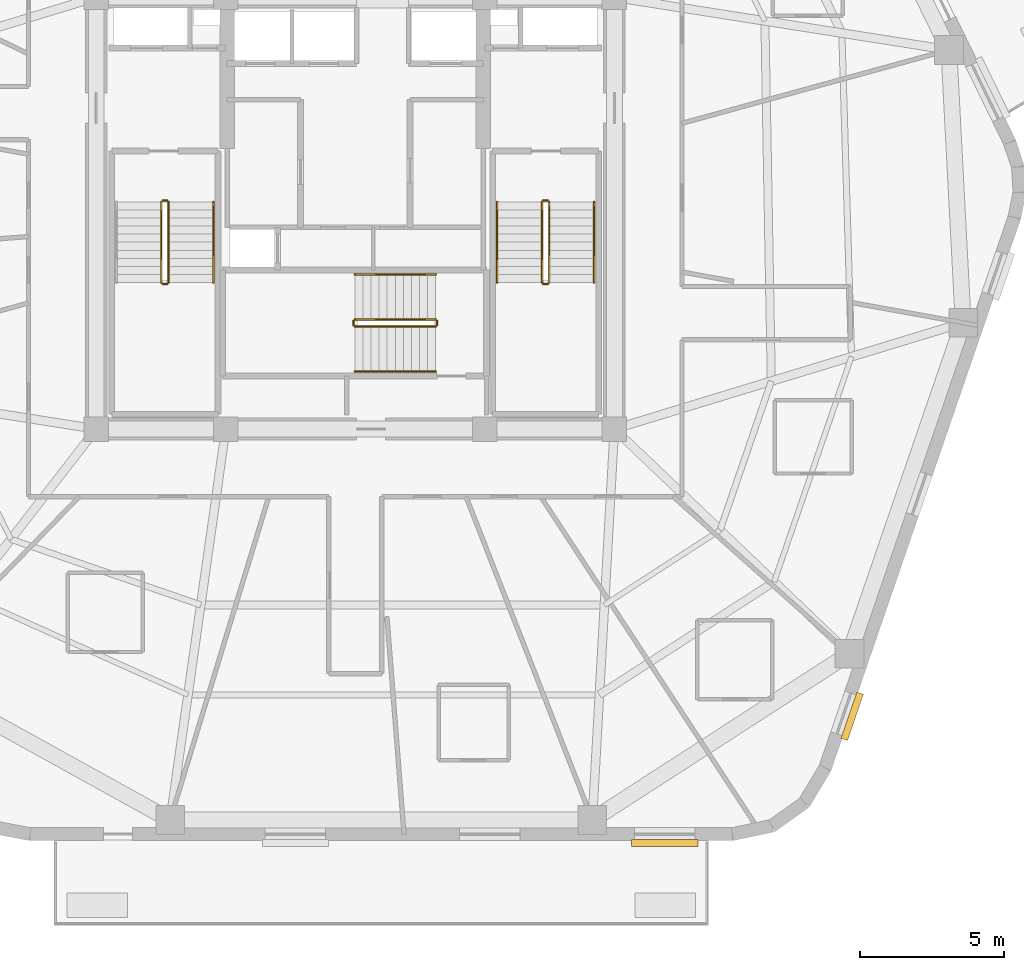
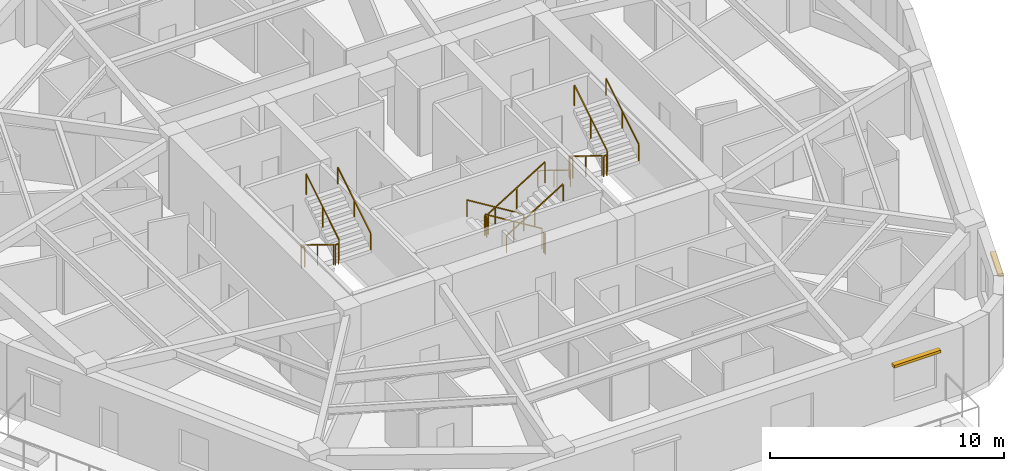
# One storey, part 9 of 10: 17 railings, 2 shading devices.
"""IFC4 building model written with IfcOpenShell, lengths in metres."""

import ifcopenshell
import ifcopenshell.guid

model = None  # the IFC model being written
_history = None  # IfcOwnerHistory: only IFC2X3 demands one
_inside = {}  # id of a spatial element -> (the spatial element, [elements in it])
_under = {}  # id of a project, library or spatial element -> (it, [spatial elements below it])
_declared = {}  # id of a project -> (the project, [libraries it declares])
_typed = {}  # id of a type object -> (the type object, [elements of that type])
_made_of = {}  # id of a material, layer set ... -> (it, [elements and type objects made of it])


def new_model(schema):
    """Start an empty IFC model of exactly this schema.

    Asked for "IFC4X3", IfcOpenShell would pick the latest addendum, in which some entities
    have other attributes; the version numbers below select the first issue.
    IFC2X3 requires an IfcOwnerHistory on every rooted entity: one is made here for all.
    """
    global model, _history
    if schema == "IFC4X3":
        model = ifcopenshell.file(schema_version=(4, 3, 0, 0))
    else:
        model = ifcopenshell.file(schema=schema)
    _inside.clear()
    _under.clear()
    _declared.clear()
    _typed.clear()
    _made_of.clear()
    _history = None
    if model.schema == "IFC2X3":
        org = make("IfcOrganization", Name="unknown")
        user = make(
            "IfcPersonAndOrganization",
            ThePerson=make("IfcPerson", FamilyName="unknown"),
            TheOrganization=org,
        )
        app = make(
            "IfcApplication",
            ApplicationDeveloper=org,
            Version="unknown",
            ApplicationFullName="unknown",
            ApplicationIdentifier="unknown",
        )
        _history = make(
            "IfcOwnerHistory",
            OwningUser=user,
            OwningApplication=app,
            ChangeAction="ADDED",
            CreationDate=0,
        )
    return model


def make(cls, **values):
    """One entity of the class cls with the attributes given. An attribute that is None is left unset."""
    return model.create_entity(
        cls, **{name: value for name, value in values.items() if value is not None}
    )


def rooted(cls, **values):
    """An entity with a GlobalId (a new one), such as an element, a storey or a relation."""
    return make(cls, GlobalId=ifcopenshell.guid.new(), OwnerHistory=_history, **values)


def si_unit(unit_type, name, prefix=None):
    """IfcSIUnit, for example si_unit("LENGTHUNIT", "METRE", prefix="MILLI")."""
    return make("IfcSIUnit", UnitType=unit_type, Prefix=prefix, Name=name)


def assignment(units):
    """IfcUnitAssignment: the units of a project."""
    return None if units is None else make("IfcUnitAssignment", Units=units)


def point(xyz):
    """IfcCartesianPoint."""
    return None if xyz is None else make("IfcCartesianPoint", Coordinates=xyz)


def direction(xyz):
    """IfcDirection."""
    return None if xyz is None else make("IfcDirection", DirectionRatios=xyz)


def frame(location, z_axis=None, x_axis=None):
    """IfcAxis2Placement3D, a coordinate frame: its origin and axes. An axis left out is left unset."""
    return make(
        "IfcAxis2Placement3D",
        Location=point(location),
        Axis=direction(z_axis),
        RefDirection=direction(x_axis),
    )


def frame_2d(location, x_axis=None):
    """IfcAxis2Placement2D, a coordinate frame in the plane: its origin and x axis."""
    return make(
        "IfcAxis2Placement2D", Location=point(location), RefDirection=direction(x_axis)
    )


def origin():
    """The frame at (0, 0, 0) with its axes left unset."""
    return frame((0.0, 0.0, 0.0))


def origin_2d():
    """The frame at (0, 0) in the plane with its x axis left unset."""
    return frame_2d((0.0, 0.0))


def place(relative_to, where):
    """IfcLocalPlacement: puts the frame where relative to a parent placement (None: the world)."""
    return make(
        "IfcLocalPlacement", PlacementRelTo=relative_to, RelativePlacement=where
    )


def context(
    kind, dimensions, precision=None, world=None, true_north=None, identifier=None
):
    """IfcGeometricRepresentationContext, for example the 3D "Model" context."""
    return make(
        "IfcGeometricRepresentationContext",
        ContextIdentifier=identifier,
        ContextType=kind,
        CoordinateSpaceDimension=dimensions,
        Precision=precision,
        WorldCoordinateSystem=world,
        TrueNorth=true_north,
    )


def subcontext(parent, identifier, kind, view, scale=None):
    """IfcGeometricRepresentationSubContext, for example "Body" below "Model"."""
    return make(
        "IfcGeometricRepresentationSubContext",
        ContextIdentifier=identifier,
        ContextType=kind,
        ParentContext=parent,
        TargetScale=scale,
        TargetView=view,
    )


def project(units=None, contexts=None):
    """IfcProject with its units and contexts."""
    return rooted(
        "IfcProject",
        Name="project",
        RepresentationContexts=contexts,
        UnitsInContext=assignment(units),
    )


def spatial(cls, under=None, at=None, **own):
    """A site, building, storey or space (cls), placed at a placement, below another one or the project."""
    s = rooted(cls, ObjectPlacement=at, **own)
    if under is not None:
        _under.setdefault(under.id(), (under, []))[1].append(s)
    return s


def profile(cls, at=None, kind="AREA", **sizes):
    """A parametric profile (cls). Its sizes go by their IFC names, for example OverallWidth=200.0."""
    return make(cls, ProfileType=kind, Position=at, **sizes)


def rectangle(**sizes):
    """IfcRectangleProfileDef."""
    return profile("IfcRectangleProfileDef", **sizes)


def extrude(swept, where, along, depth):
    """IfcExtrudedAreaSolid: the profile swept, set in the frame where, extruded along a direction by depth."""
    return make(
        "IfcExtrudedAreaSolid",
        SweptArea=swept,
        Position=where,
        ExtrudedDirection=direction(along),
        Depth=depth,
    )


def shape(context_of_items, identifier, shape_type, items):
    """IfcShapeRepresentation: the items that make up one representation, for example the "Body"."""
    return make(
        "IfcShapeRepresentation",
        ContextOfItems=context_of_items,
        RepresentationIdentifier=identifier,
        RepresentationType=shape_type,
        Items=items,
    )


def material(Name=None, Category=None):
    """IfcMaterial."""
    return make("IfcMaterial", Name=Name, Category=Category)


def layer(
    of_material, thickness, ventilated=None, Name=None, Category=None, Priority=None
):
    """IfcMaterialLayer: one layer of a wall or slab, of a material (None: an air gap)."""
    return make(
        "IfcMaterialLayer",
        Material=of_material,
        LayerThickness=thickness,
        IsVentilated=ventilated,
        Name=Name,
        Category=Category,
        Priority=Priority,
    )


def layer_set(layers, Name=None):
    """IfcMaterialLayerSet."""
    return make("IfcMaterialLayerSet", MaterialLayers=layers, LayerSetName=Name)


def made_of(thing, what):
    """Note that an element or type object is made of a material, layer set ...; save() writes the relation."""
    if what is not None:
        _made_of.setdefault(what.id(), (what, []))[1].append(thing)
    return thing


def type_object(cls, material=None, **own):
    """A type object (cls), such as IfcWallType, which elements share."""
    return made_of(rooted(cls, **own), material)


def element(
    cls,
    number,
    at=None,
    inside=None,
    cuts=None,
    type_object=None,
    material=None,
    context=None,
    identifier="Body",
    shape_type=None,
    held_by="IfcProductDefinitionShape",
    body=None,
    shapes=None,
    **own,
):
    """One element of the class cls, such as IfcWall. Its Tag is "e" and its number.

    at: its placement. inside: the storey or other place that contains it. cuts: it is an
    opening in that element (IfcRelVoidsElement). A single representation is given by context,
    identifier, shape_type and body (its items); several are given by shapes. held_by: the class
    of the entity that holds the representations. save() writes the other relations.
    """
    e = rooted(cls, Tag="e%d" % number, ObjectPlacement=at, **own)
    if body is not None:
        shapes = [shape(context, identifier, shape_type, body)]
    if shapes is not None:
        e.Representation = make(held_by, Representations=shapes)
    if inside is not None:
        _inside.setdefault(inside.id(), (inside, []))[1].append(e)
    if cuts is not None:
        rooted(
            "IfcRelVoidsElement", RelatingBuildingElement=cuts, RelatedOpeningElement=e
        )
    if type_object is not None:
        _typed.setdefault(type_object.id(), (type_object, []))[1].append(e)
    return made_of(e, material)


def aggregate(whole, parts):
    """IfcRelAggregates: a whole, such as a stair, and the parts it consists of."""
    return rooted("IfcRelAggregates", RelatingObject=whole, RelatedObjects=parts)


def save(model, path):
    """Write the relations noted so far, then the file.

    IfcRelAggregates (storeys below a building ...), IfcRelContainedInSpatialStructure (elements
    in a storey), IfcRelDefinesByType, IfcRelAssociatesMaterial and IfcRelDeclares: one each for
    every whole, place, type object, material and project.
    """
    for whole, parts in _under.values():
        aggregate(whole, parts)
    for where, things in _inside.values():
        rooted(
            "IfcRelContainedInSpatialStructure",
            RelatedElements=things,
            RelatingStructure=where,
        )
    for kind, things in _typed.values():
        rooted("IfcRelDefinesByType", RelatedObjects=things, RelatingType=kind)
    for what, things in _made_of.values():
        rooted("IfcRelAssociatesMaterial", RelatedObjects=things, RelatingMaterial=what)
    for by, libraries in _declared.values():
        rooted("IfcRelDeclares", RelatingContext=by, RelatedDefinitions=libraries)
    model.write(path)


model = new_model("IFC4")

# Units and contexts
model_context = context("Model", 3, precision=1e-05, world=origin(), true_north=direction((0.0, 1.0)))
body_context = subcontext(model_context, "Body", "Model", "MODEL_VIEW")
ifc_project = project(units=[si_unit("LENGTHUNIT", "METRE"), si_unit("AREAUNIT", "SQUARE_METRE"), si_unit("VOLUMEUNIT", "CUBIC_METRE"), si_unit("PLANEANGLEUNIT", "RADIAN"), si_unit("MASSUNIT", "GRAM", prefix="KILO")], contexts=[model_context])

# Site, building, storey
site_placement = place(None, origin())
site = spatial("IfcSite", under=ifc_project, at=site_placement, CompositionType="ELEMENT")
building_placement = place(site_placement, origin())
building = spatial("IfcBuilding", under=site, at=building_placement, Name="Kilnhurst Terrace Hotel", CompositionType="ELEMENT")
storey_placement = place(building_placement, frame((0.0, 0.0, 214.10009765625)))
storey = spatial("IfcBuildingStorey", under=building, at=storey_placement, Name="L53", CompositionType="ELEMENT", Elevation=214.10009765625)

# Railings
ifc_material_1 = material(Name="Powder-Coated Steel ASTM A500 Grade B", Category="steel")
ifc_layer_1 = layer(ifc_material_1, 0.050048828125, Name="Powder-Coated Steel ASTM A500 Grade B")
ifc_layer_set_1 = layer_set([ifc_layer_1], Name="Powder-Coated Steel ASTM A500 Grade B")
railing_type_1 = type_object("IfcRailingType", Name="RLG-ST-GRD-1100", PredefinedType="GUARDRAIL", material=ifc_layer_set_1)
railing_1_placement = place(storey_placement, frame((-6.739990234375, 0.389892578125, 0.172607421875)))
element("IfcRailing", 1, at=railing_1_placement, inside=storey, type_object=railing_type_1, Name="L53 ST-1 stair guard 1", PredefinedType="GUARDRAIL", context=body_context, shape_type="SweptSolid", body=[
    extrude(rectangle(XDim=0.048095703125, YDim=0.048095703125, at=origin_2d()), frame((0.0, 0.0, 1.076171875), z_axis=(0.0, -0.851069175582, 0.525053576669), x_axis=(1.0, 0.0, 0.0)), (0.0, 0.0, 1.0), 3.289794921875),
    extrude(rectangle(XDim=0.0419921875, YDim=0.0419921875, at=origin_2d()), origin(), (0.0, 0.0, 1.0), 1.052001953125),
    extrude(rectangle(XDim=0.0419921875, YDim=0.0419921875, at=origin_2d()), frame((0.0, -1.39990234375, 0.86376953125)), (0.0, 0.0, 1.0), 1.052001953125),
    extrude(rectangle(XDim=0.0419921875, YDim=0.0419921875, at=origin_2d()), frame((0.0, -2.7998046875, 1.727294921875)), (0.0, 0.0, 1.0), 1.052001953125),
])
railing_2_placement = place(storey_placement, frame((-6.68994140625, -2.4599609375, 1.89990234375)))
element("IfcRailing", 2, at=railing_2_placement, inside=storey, type_object=railing_type_1, Name="L53 ST-1 stair guard 2", PredefinedType="GUARDRAIL", context=body_context, shape_type="SweptSolid", body=[
    extrude(rectangle(XDim=0.048095703125, YDim=0.048095703125, at=origin_2d()), frame((0.0, 0.0, 1.076171875), z_axis=(1.0, 0.0, 0.0), x_axis=(0.0, 1.0, 0.0)), (0.0, 0.0, 1.0), 0.14990234375),
    extrude(rectangle(XDim=0.0419921875, YDim=0.0419921875, at=origin_2d()), origin(), (0.0, 0.0, 1.0), 1.052001953125),
    extrude(rectangle(XDim=0.0419921875, YDim=0.0419921875, at=origin_2d()), frame((0.14990234375, 0.0, 0.0)), (0.0, 0.0, 1.0), 1.052001953125),
])
railing_3_placement = place(storey_placement, frame((-6.489990234375, -2.409912109375, 2.072509765625)))
element("IfcRailing", 3, at=railing_3_placement, inside=storey, type_object=railing_type_1, Name="L53 ST-1 stair guard 3", PredefinedType="GUARDRAIL", context=body_context, shape_type="SweptSolid", body=[
    extrude(rectangle(XDim=0.048095703125, YDim=0.048095703125, at=origin_2d()), frame((0.0, 0.0, 1.076171875), z_axis=(0.0, 0.851069175582, 0.525053576669), x_axis=(-1.0, 0.0, 0.0)), (0.0, 0.0, 1.0), 3.289794921875),
    extrude(rectangle(XDim=0.0419921875, YDim=0.0419921875, at=origin_2d()), origin(), (0.0, 0.0, 1.0), 1.052001953125),
    extrude(rectangle(XDim=0.0419921875, YDim=0.0419921875, at=origin_2d()), frame((0.0, 1.39990234375, 0.86376953125)), (0.0, 0.0, 1.0), 1.052001953125),
    extrude(rectangle(XDim=0.0419921875, YDim=0.0419921875, at=origin_2d()), frame((0.0, 2.7998046875, 1.727294921875)), (0.0, 0.0, 1.0), 1.052001953125),
])
railing_4_placement = place(storey_placement, frame((-6.68994140625, 0.43994140625, 0.0)))
element("IfcRailing", 4, at=railing_4_placement, inside=storey, type_object=railing_type_1, Name="L53 ST-1 stair guard 4", PredefinedType="GUARDRAIL", context=body_context, shape_type="SweptSolid", body=[
    extrude(rectangle(XDim=0.048095703125, YDim=0.048095703125, at=origin_2d()), frame((0.0, 0.0, 1.076171875), z_axis=(1.0, 0.0, 0.0), x_axis=(0.0, 1.0, 0.0)), (0.0, 0.0, 1.0), 0.14990234375),
    extrude(rectangle(XDim=0.0419921875, YDim=0.0419921875, at=origin_2d()), origin(), (0.0, 0.0, 1.0), 1.052001953125),
    extrude(rectangle(XDim=0.0419921875, YDim=0.0419921875, at=origin_2d()), frame((0.14990234375, 0.0, 0.0)), (0.0, 0.0, 1.0), 1.052001953125),
])
railing_5_placement = place(storey_placement, frame((6.489990234375, 0.389892578125, 0.172607421875)))
element("IfcRailing", 5, at=railing_5_placement, inside=storey, type_object=railing_type_1, Name="L53 ST-2 stair guard 1", PredefinedType="GUARDRAIL", context=body_context, shape_type="SweptSolid", body=[
    extrude(rectangle(XDim=0.048095703125, YDim=0.048095703125, at=origin_2d()), frame((0.0, 0.0, 1.076171875), z_axis=(0.0, -0.851069175582, 0.525053576669), x_axis=(1.0, 0.0, 0.0)), (0.0, 0.0, 1.0), 3.289794921875),
    extrude(rectangle(XDim=0.0419921875, YDim=0.0419921875, at=origin_2d()), origin(), (0.0, 0.0, 1.0), 1.052001953125),
    extrude(rectangle(XDim=0.0419921875, YDim=0.0419921875, at=origin_2d()), frame((0.0, -1.39990234375, 0.86376953125)), (0.0, 0.0, 1.0), 1.052001953125),
    extrude(rectangle(XDim=0.0419921875, YDim=0.0419921875, at=origin_2d()), frame((0.0, -2.7998046875, 1.727294921875)), (0.0, 0.0, 1.0), 1.052001953125),
])
railing_6_placement = place(storey_placement, frame((6.5400390625, -2.4599609375, 1.89990234375)))
element("IfcRailing", 6, at=railing_6_placement, inside=storey, type_object=railing_type_1, Name="L53 ST-2 stair guard 2", PredefinedType="GUARDRAIL", context=body_context, shape_type="SweptSolid", body=[
    extrude(rectangle(XDim=0.048095703125, YDim=0.048095703125, at=origin_2d()), frame((0.0, 0.0, 1.076171875), z_axis=(1.0, 0.0, 0.0), x_axis=(0.0, 1.0, 0.0)), (0.0, 0.0, 1.0), 0.14990234375),
    extrude(rectangle(XDim=0.0419921875, YDim=0.0419921875, at=origin_2d()), origin(), (0.0, 0.0, 1.0), 1.052001953125),
    extrude(rectangle(XDim=0.0419921875, YDim=0.0419921875, at=origin_2d()), frame((0.14990234375, 0.0, 0.0)), (0.0, 0.0, 1.0), 1.052001953125),
])
railing_7_placement = place(storey_placement, frame((6.739990234375, -2.409912109375, 2.072509765625)))
element("IfcRailing", 7, at=railing_7_placement, inside=storey, type_object=railing_type_1, Name="L53 ST-2 stair guard 3", PredefinedType="GUARDRAIL", context=body_context, shape_type="SweptSolid", body=[
    extrude(rectangle(XDim=0.048095703125, YDim=0.048095703125, at=origin_2d()), frame((0.0, 0.0, 1.076171875), z_axis=(0.0, 0.851069175582, 0.525053576669), x_axis=(-1.0, 0.0, 0.0)), (0.0, 0.0, 1.0), 3.289794921875),
    extrude(rectangle(XDim=0.0419921875, YDim=0.0419921875, at=origin_2d()), origin(), (0.0, 0.0, 1.0), 1.052001953125),
    extrude(rectangle(XDim=0.0419921875, YDim=0.0419921875, at=origin_2d()), frame((0.0, 1.39990234375, 0.86376953125)), (0.0, 0.0, 1.0), 1.052001953125),
    extrude(rectangle(XDim=0.0419921875, YDim=0.0419921875, at=origin_2d()), frame((0.0, 2.7998046875, 1.727294921875)), (0.0, 0.0, 1.0), 1.052001953125),
])
railing_8_placement = place(storey_placement, frame((6.5400390625, 0.43994140625, 0.0)))
element("IfcRailing", 8, at=railing_8_placement, inside=storey, type_object=railing_type_1, Name="L53 ST-2 stair guard 4", PredefinedType="GUARDRAIL", context=body_context, shape_type="SweptSolid", body=[
    extrude(rectangle(XDim=0.048095703125, YDim=0.048095703125, at=origin_2d()), frame((0.0, 0.0, 1.076171875), z_axis=(1.0, 0.0, 0.0), x_axis=(0.0, 1.0, 0.0)), (0.0, 0.0, 1.0), 0.14990234375),
    extrude(rectangle(XDim=0.0419921875, YDim=0.0419921875, at=origin_2d()), origin(), (0.0, 0.0, 1.0), 1.052001953125),
    extrude(rectangle(XDim=0.0419921875, YDim=0.0419921875, at=origin_2d()), frame((0.14990234375, 0.0, 0.0)), (0.0, 0.0, 1.0), 1.052001953125),
])
railing_9_placement = place(storey_placement, frame((2.7900390625, -3.68994140625, 0.172607421875)))
element("IfcRailing", 9, at=railing_9_placement, inside=storey, type_object=railing_type_1, Name="L53 ST-3 stair guard 1", PredefinedType="GUARDRAIL", context=body_context, shape_type="SweptSolid", body=[
    extrude(rectangle(XDim=0.048095703125, YDim=0.048095703125, at=origin_2d()), frame((0.0, 0.0, 1.076171875), z_axis=(-0.851089632645, 0.0, 0.525020415988), x_axis=(0.0, -1.0, 0.0)), (0.0, 0.0, 1.0), 3.2900390625),
    extrude(rectangle(XDim=0.0419921875, YDim=0.0419921875, at=origin_2d()), origin(), (0.0, 0.0, 1.0), 1.052001953125),
    extrude(rectangle(XDim=0.0419921875, YDim=0.0419921875, at=origin_2d()), frame((-1.39990234375, 0.0, 0.86376953125)), (0.0, 0.0, 1.0), 1.052001953125),
    extrude(rectangle(XDim=0.0419921875, YDim=0.0419921875, at=origin_2d()), frame((-2.800048828125, 0.0, 1.727294921875)), (0.0, 0.0, 1.0), 1.052001953125),
])
railing_10_placement = place(storey_placement, frame((-0.06005859375, -3.739990234375, 1.89990234375)))
element("IfcRailing", 10, at=railing_10_placement, inside=storey, type_object=railing_type_1, Name="L53 ST-3 stair guard 2", PredefinedType="GUARDRAIL", context=body_context, shape_type="SweptSolid", body=[
    extrude(rectangle(XDim=0.048095703125, YDim=0.048095703125, at=origin_2d()), frame((0.0, 0.0, 1.076171875), z_axis=(0.0, -1.0, 0.0), x_axis=(1.0, 0.0, 0.0)), (0.0, 0.0, 1.0), 0.14990234375),
    extrude(rectangle(XDim=0.0419921875, YDim=0.0419921875, at=origin_2d()), origin(), (0.0, 0.0, 1.0), 1.052001953125),
    extrude(rectangle(XDim=0.0419921875, YDim=0.0419921875, at=origin_2d()), frame((0.0, -0.14990234375, 0.0)), (0.0, 0.0, 1.0), 1.052001953125),
])
railing_11_placement = place(storey_placement, frame((-0.010009765625, -3.93994140625, 2.072509765625)))
element("IfcRailing", 11, at=railing_11_placement, inside=storey, type_object=railing_type_1, Name="L53 ST-3 stair guard 3", PredefinedType="GUARDRAIL", context=body_context, shape_type="SweptSolid", body=[
    extrude(rectangle(XDim=0.048095703125, YDim=0.048095703125, at=origin_2d()), frame((0.0, 0.0, 1.076171875), z_axis=(0.851089632645, 0.0, 0.525020415988), x_axis=(0.0, 1.0, 0.0)), (0.0, 0.0, 1.0), 3.2900390625),
    extrude(rectangle(XDim=0.0419921875, YDim=0.0419921875, at=origin_2d()), origin(), (0.0, 0.0, 1.0), 1.052001953125),
    extrude(rectangle(XDim=0.0419921875, YDim=0.0419921875, at=origin_2d()), frame((1.39990234375, 0.0, 0.86376953125)), (0.0, 0.0, 1.0), 1.052001953125),
    extrude(rectangle(XDim=0.0419921875, YDim=0.0419921875, at=origin_2d()), frame((2.800048828125, 0.0, 1.727294921875)), (0.0, 0.0, 1.0), 1.052001953125),
])
railing_12_placement = place(storey_placement, frame((2.840087890625, -3.739990234375, 0.0)))
element("IfcRailing", 12, at=railing_12_placement, inside=storey, type_object=railing_type_1, Name="L53 ST-3 stair guard 4", PredefinedType="GUARDRAIL", context=body_context, shape_type="SweptSolid", body=[
    extrude(rectangle(XDim=0.048095703125, YDim=0.048095703125, at=origin_2d()), frame((0.0, 0.0, 1.076171875), z_axis=(0.0, -1.0, 0.0), x_axis=(1.0, 0.0, 0.0)), (0.0, 0.0, 1.0), 0.14990234375),
    extrude(rectangle(XDim=0.0419921875, YDim=0.0419921875, at=origin_2d()), origin(), (0.0, 0.0, 1.0), 1.052001953125),
    extrude(rectangle(XDim=0.0419921875, YDim=0.0419921875, at=origin_2d()), frame((0.0, -0.14990234375, 0.0)), (0.0, 0.0, 1.0), 1.052001953125),
])
ifc_material_2 = material(Name="Brushed Stainless Steel AISI 304", Category="steel")
ifc_layer_2 = layer(ifc_material_2, 0.048095703125, Name="Brushed Stainless Steel AISI 304")
ifc_layer_set_2 = layer_set([ifc_layer_2], Name="Brushed Stainless Steel AISI 304")
railing_type_2 = type_object("IfcRailingType", Name="RLG-ST-HRL-900", PredefinedType="HANDRAIL", material=ifc_layer_set_2)
railing_13_placement = place(storey_placement, frame((-4.929931640625, -2.409912109375, 2.072509765625)))
element("IfcRailing", 13, at=railing_13_placement, inside=storey, type_object=railing_type_2, Name="L53 ST-1 stair handrail 2", PredefinedType="HANDRAIL", context=body_context, shape_type="SweptSolid", body=[
    extrude(rectangle(XDim=0.048095703125, YDim=0.048095703125, at=origin_2d()), frame((0.0, 0.0, 0.8759765625), z_axis=(0.0, 0.851069175582, 0.525053576669), x_axis=(-1.0, 0.0, 0.0)), (0.0, 0.0, 1.0), 3.289794921875),
    extrude(rectangle(XDim=0.0419921875, YDim=0.0419921875, at=origin_2d()), origin(), (0.0, 0.0, 1.0), 0.851806640625),
    extrude(rectangle(XDim=0.0419921875, YDim=0.0419921875, at=origin_2d()), frame((0.0, 1.39990234375, 0.86376953125)), (0.0, 0.0, 1.0), 0.851806640625),
    extrude(rectangle(XDim=0.0419921875, YDim=0.0419921875, at=origin_2d()), frame((0.0, 2.7998046875, 1.727294921875)), (0.0, 0.0, 1.0), 0.851806640625),
])
railing_14_placement = place(storey_placement, frame((4.929931640625, 0.389892578125, 0.172607421875)))
element("IfcRailing", 14, at=railing_14_placement, inside=storey, type_object=railing_type_2, Name="L53 ST-2 stair handrail 1", PredefinedType="HANDRAIL", context=body_context, shape_type="SweptSolid", body=[
    extrude(rectangle(XDim=0.048095703125, YDim=0.048095703125, at=origin_2d()), frame((0.0, 0.0, 0.8759765625), z_axis=(0.0, -0.851069175582, 0.525053576669), x_axis=(1.0, 0.0, 0.0)), (0.0, 0.0, 1.0), 3.289794921875),
    extrude(rectangle(XDim=0.0419921875, YDim=0.0419921875, at=origin_2d()), origin(), (0.0, 0.0, 1.0), 0.851806640625),
    extrude(rectangle(XDim=0.0419921875, YDim=0.0419921875, at=origin_2d()), frame((0.0, -1.39990234375, 0.86376953125)), (0.0, 0.0, 1.0), 0.851806640625),
    extrude(rectangle(XDim=0.0419921875, YDim=0.0419921875, at=origin_2d()), frame((0.0, -2.7998046875, 1.727294921875)), (0.0, 0.0, 1.0), 0.851806640625),
])
railing_15_placement = place(storey_placement, frame((8.300048828125, -2.409912109375, 2.072509765625)))
element("IfcRailing", 15, at=railing_15_placement, inside=storey, type_object=railing_type_2, Name="L53 ST-2 stair handrail 2", PredefinedType="HANDRAIL", context=body_context, shape_type="SweptSolid", body=[
    extrude(rectangle(XDim=0.048095703125, YDim=0.048095703125, at=origin_2d()), frame((0.0, 0.0, 0.8759765625), z_axis=(0.0, 0.851069175582, 0.525053576669), x_axis=(-1.0, 0.0, 0.0)), (0.0, 0.0, 1.0), 3.289794921875),
    extrude(rectangle(XDim=0.0419921875, YDim=0.0419921875, at=origin_2d()), origin(), (0.0, 0.0, 1.0), 0.851806640625),
    extrude(rectangle(XDim=0.0419921875, YDim=0.0419921875, at=origin_2d()), frame((0.0, 1.39990234375, 0.86376953125)), (0.0, 0.0, 1.0), 0.851806640625),
    extrude(rectangle(XDim=0.0419921875, YDim=0.0419921875, at=origin_2d()), frame((0.0, 2.7998046875, 1.727294921875)), (0.0, 0.0, 1.0), 0.851806640625),
])
railing_16_placement = place(storey_placement, frame((2.7900390625, -2.1298828125, 0.172607421875)))
element("IfcRailing", 16, at=railing_16_placement, inside=storey, type_object=railing_type_2, Name="L53 ST-3 stair handrail 1", PredefinedType="HANDRAIL", context=body_context, shape_type="SweptSolid", body=[
    extrude(rectangle(XDim=0.048095703125, YDim=0.048095703125, at=origin_2d()), frame((0.0, 0.0, 0.8759765625), z_axis=(-0.851089632645, 0.0, 0.525020415988), x_axis=(0.0, -1.0, 0.0)), (0.0, 0.0, 1.0), 3.2900390625),
    extrude(rectangle(XDim=0.0419921875, YDim=0.0419921875, at=origin_2d()), origin(), (0.0, 0.0, 1.0), 0.851806640625),
    extrude(rectangle(XDim=0.0419921875, YDim=0.0419921875, at=origin_2d()), frame((-1.39990234375, 0.0, 0.86376953125)), (0.0, 0.0, 1.0), 0.851806640625),
    extrude(rectangle(XDim=0.0419921875, YDim=0.0419921875, at=origin_2d()), frame((-2.800048828125, 0.0, 1.727294921875)), (0.0, 0.0, 1.0), 0.851806640625),
])
railing_17_placement = place(storey_placement, frame((-0.010009765625, -5.5, 2.072509765625)))
element("IfcRailing", 17, at=railing_17_placement, inside=storey, type_object=railing_type_2, Name="L53 ST-3 stair handrail 2", PredefinedType="HANDRAIL", context=body_context, shape_type="SweptSolid", body=[
    extrude(rectangle(XDim=0.048095703125, YDim=0.048095703125, at=origin_2d()), frame((0.0, 0.0, 0.8759765625), z_axis=(0.851089632645, 0.0, 0.525020415988), x_axis=(0.0, 1.0, 0.0)), (0.0, 0.0, 1.0), 3.2900390625),
    extrude(rectangle(XDim=0.0419921875, YDim=0.0419921875, at=origin_2d()), origin(), (0.0, 0.0, 1.0), 0.851806640625),
    extrude(rectangle(XDim=0.0419921875, YDim=0.0419921875, at=origin_2d()), frame((1.39990234375, 0.0, 0.86376953125)), (0.0, 0.0, 1.0), 0.851806640625),
    extrude(rectangle(XDim=0.0419921875, YDim=0.0419921875, at=origin_2d()), frame((2.800048828125, 0.0, 1.727294921875)), (0.0, 0.0, 1.0), 0.851806640625),
])

# Shading devices
ifc_material_3 = material(Name="Terracotta Baguette Sunshade on Aluminium Alloy 6063-T6", Category="masonry")
ifc_layer_3 = layer(ifc_material_3, 0.199951171875, Name="Terracotta Baguette Sunshade on Aluminium Alloy 6063-T6")
ifc_layer_set_3 = layer_set([ifc_layer_3], Name="Terracotta Baguette Sunshade on Aluminium Alloy 6063-T6")
shading_device_type = type_object("IfcShadingDeviceType", Name="SHD-SUN-200", PredefinedType="JALOUSIE", material=ifc_layer_set_3)
shading_device_1_placement = place(storey_placement, frame((10.748291015625, -21.8798828125, 2.68017578125), z_axis=(0.0, 0.0, 1.0), x_axis=(1.0, 0.0, 0.0)))
element("IfcShadingDevice", 18, at=shading_device_1_placement, inside=storey, type_object=shading_device_type, Name="L53 Terracotta Window Sunshade F1.3", PredefinedType="JALOUSIE", context=body_context, shape_type="SweptSolid", body=[
    extrude(rectangle(XDim=2.300048828125, YDim=0.239990234375, at=origin_2d()), origin(), (0.0, 0.0, 1.0), 0.139892578125),
])
shading_device_2_placement = place(storey_placement, frame((17.263671875, -17.47998046875, 2.6298828125), z_axis=(0.0, 0.0, 1.0), x_axis=(0.325089542819, 0.94568323933, 0.0)))
element("IfcShadingDevice", 19, at=shading_device_2_placement, inside=storey, type_object=shading_device_type, Name="L53 Terracotta Window Sunshade F2.1", PredefinedType="JALOUSIE", context=body_context, shape_type="SweptSolid", body=[
    extrude(rectangle(XDim=1.699951171875, YDim=0.239990234375, at=origin_2d()), origin(), (0.0, 0.0, 1.0), 0.139892578125),
])

save(model, "model.ifc")
